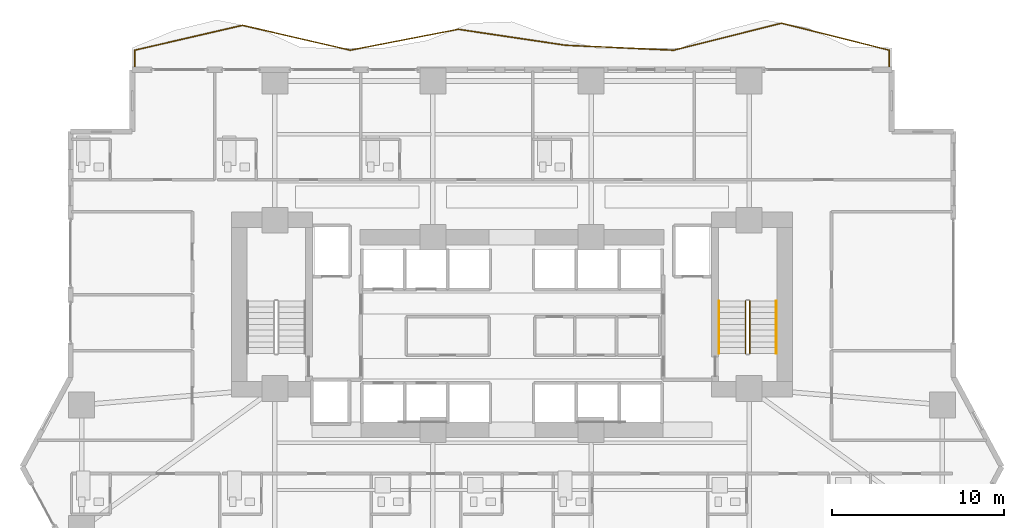
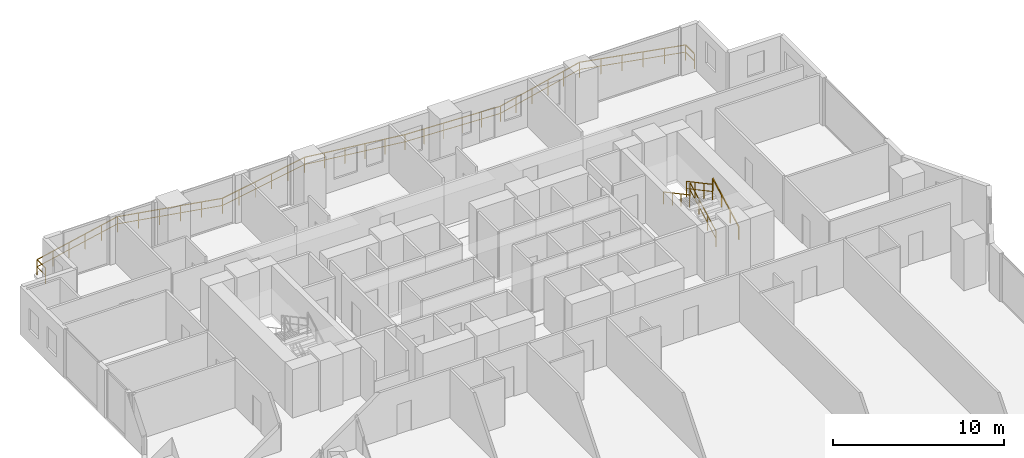
# One storey, part 27 of 29: 5 railings.
"""IFC4 building model written with IfcOpenShell, lengths in metres."""

from ifc_helpers import new_model, si_unit, direction, frame, origin, origin_2d, place, context, subcontext, project, spatial, rectangle, extrude, material, type_object, element, save


model = new_model("IFC4")

# Units and contexts
model_context = context("Model", 3, precision=1e-05, world=origin(), true_north=direction((0.0, 1.0)))
body_context = subcontext(model_context, "Body", "Model", "MODEL_VIEW")
ifc_project = project(units=[si_unit("LENGTHUNIT", "METRE"), si_unit("AREAUNIT", "SQUARE_METRE"), si_unit("VOLUMEUNIT", "CUBIC_METRE"), si_unit("PLANEANGLEUNIT", "RADIAN"), si_unit("MASSUNIT", "GRAM", prefix="KILO")], contexts=[model_context])

# Site, building, storey
site_placement = place(None, origin())
site = spatial("IfcSite", under=ifc_project, at=site_placement, CompositionType="ELEMENT")
building_placement = place(site_placement, origin())
building = spatial("IfcBuilding", under=site, at=building_placement, Name="Zuhayl Quay Hotel", CompositionType="ELEMENT")
storey_placement = place(building_placement, frame((0.0, 0.0, 38.550048828125)))
storey = spatial("IfcBuildingStorey", under=building, at=storey_placement, Name="L08", CompositionType="ELEMENT", Elevation=38.550048828125)

# Railings
ifc_material_1 = material(Name="Anodised Aluminium and Laminated Glass", Category="aluminium")
railing_type_1 = type_object("IfcRailingType", Name="RL_EXT_BAL_1100", PredefinedType="BALUSTRADE", material=ifc_material_1)
railing_1_placement = place(storey_placement, frame((-21.9599609375, 23.219970703125, 0.0)))
element("IfcRailing", 1, at=railing_1_placement, inside=storey, type_object=railing_type_1, Name="L08 Balcony and Terrace Guard GR_L08_BAL_N", PredefinedType="BALUSTRADE", context=body_context, shape_type="SweptSolid", body=[
    extrude(rectangle(XDim=0.048095703125, YDim=0.048095703125, at=origin_2d()), frame((0.0, 0.0, 1.09619140625), z_axis=(0.0, 1.0, 0.0), x_axis=(-1.0, 0.0, 0.0)), (0.0, 0.0, 1.0), 1.02001953125),
    extrude(rectangle(XDim=0.0361328125, YDim=0.0361328125, at=origin_2d()), frame((0.0, 0.0, 0.58251953125), z_axis=(0.0, 1.0, 0.0), x_axis=(-1.0, 0.0, 0.0)), (0.0, 0.0, 1.0), 1.02001953125),
    extrude(rectangle(XDim=0.048095703125, YDim=0.048095703125, at=origin_2d()), frame((0.0, 1.02001953125, 1.09619140625), z_axis=(0.974354120374, 0.225020106013, 0.0), x_axis=(-0.225020106013, 0.974354120374, 0.0)), (0.0, 0.0, 1.0), 6.439208984375),
    extrude(rectangle(XDim=0.0361328125, YDim=0.0361328125, at=origin_2d()), frame((0.0, 1.02001953125, 0.58251953125), z_axis=(0.974354120374, 0.225020106013, 0.0), x_axis=(-0.225020106013, 0.974354120374, 0.0)), (0.0, 0.0, 1.0), 6.439208984375),
    extrude(rectangle(XDim=0.048095703125, YDim=0.048095703125, at=origin_2d()), frame((6.274169921875, 2.468994140625, 1.09619140625), z_axis=(0.974356040011, -0.225011793676, 0.0), x_axis=(0.225011793676, 0.974356040011, 0.0)), (0.0, 0.0, 1.0), 6.439453125),
    extrude(rectangle(XDim=0.0361328125, YDim=0.0361328125, at=origin_2d()), frame((6.274169921875, 2.468994140625, 0.58251953125), z_axis=(0.974356040011, -0.225011793676, 0.0), x_axis=(0.225011793676, 0.974356040011, 0.0)), (0.0, 0.0, 1.0), 6.439453125),
    extrude(rectangle(XDim=0.048095703125, YDim=0.048095703125, at=origin_2d()), frame((12.548583984375, 1.02001953125, 1.09619140625), z_axis=(0.981701374701, 0.190426917502, 0.0), x_axis=(-0.190426917502, 0.981701374701, 0.0)), (0.0, 0.0, 1.0), 6.39111328125),
    extrude(rectangle(XDim=0.0361328125, YDim=0.0361328125, at=origin_2d()), frame((12.548583984375, 1.02001953125, 0.58251953125), z_axis=(0.981701374701, 0.190426917502, 0.0), x_axis=(-0.190426917502, 0.981701374701, 0.0)), (0.0, 0.0, 1.0), 6.39111328125),
    extrude(rectangle(XDim=0.048095703125, YDim=0.048095703125, at=origin_2d()), frame((18.82275390625, 2.237060546875, 1.09619140625), z_axis=(0.989177822067, -0.146721628705, 0.0), x_axis=(0.146721628705, 0.989177822067, 0.0)), (0.0, 0.0, 1.0), 6.343017578125),
    extrude(rectangle(XDim=0.0361328125, YDim=0.0361328125, at=origin_2d()), frame((18.82275390625, 2.237060546875, 0.58251953125), z_axis=(0.989177822067, -0.146721628705, 0.0), x_axis=(0.146721628705, 0.989177822067, 0.0)), (0.0, 0.0, 1.0), 6.343017578125),
    extrude(rectangle(XDim=0.048095703125, YDim=0.048095703125, at=origin_2d()), frame((25.09716796875, 1.306396484375, 1.09619140625), z_axis=(0.998959946609, -0.045596327381, 0.0), x_axis=(0.045596327381, 0.998959946609, 0.0)), (0.0, 0.0, 1.0), 6.28076171875),
    extrude(rectangle(XDim=0.0361328125, YDim=0.0361328125, at=origin_2d()), frame((25.09716796875, 1.306396484375, 0.58251953125), z_axis=(0.998959946609, -0.045596327381, 0.0), x_axis=(0.045596327381, 0.998959946609, 0.0)), (0.0, 0.0, 1.0), 6.28076171875),
    extrude(rectangle(XDim=0.048095703125, YDim=0.048095703125, at=origin_2d()), frame((31.371337890625, 1.02001953125, 1.09619140625), z_axis=(0.97007140728, 0.242819819573, 0.0), x_axis=(-0.242819819573, 0.97007140728, 0.0)), (0.0, 0.0, 1.0), 6.468017578125),
    extrude(rectangle(XDim=0.0361328125, YDim=0.0361328125, at=origin_2d()), frame((31.371337890625, 1.02001953125, 0.58251953125), z_axis=(0.97007140728, 0.242819819573, 0.0), x_axis=(-0.242819819573, 0.97007140728, 0.0)), (0.0, 0.0, 1.0), 6.468017578125),
    extrude(rectangle(XDim=0.048095703125, YDim=0.048095703125, at=origin_2d()), frame((37.645751953125, 2.590576171875, 1.09619140625), z_axis=(0.9700691816, -0.242828711048, 0.0), x_axis=(0.242828711048, 0.9700691816, 0.0)), (0.0, 0.0, 1.0), 6.4677734375),
    extrude(rectangle(XDim=0.0361328125, YDim=0.0361328125, at=origin_2d()), frame((37.645751953125, 2.590576171875, 0.58251953125), z_axis=(0.9700691816, -0.242828711048, 0.0), x_axis=(0.242828711048, 0.9700691816, 0.0)), (0.0, 0.0, 1.0), 6.4677734375),
    extrude(rectangle(XDim=0.048095703125, YDim=0.048095703125, at=origin_2d()), frame((43.919921875, 1.02001953125, 1.09619140625), z_axis=(0.0, -1.0, 0.0), x_axis=(1.0, 0.0, 0.0)), (0.0, 0.0, 1.0), 1.02001953125),
    extrude(rectangle(XDim=0.0361328125, YDim=0.0361328125, at=origin_2d()), frame((43.919921875, 1.02001953125, 0.58251953125), z_axis=(0.0, -1.0, 0.0), x_axis=(1.0, 0.0, 0.0)), (0.0, 0.0, 1.0), 1.02001953125),
    extrude(rectangle(XDim=0.0419921875, YDim=0.0419921875, at=origin_2d()), origin(), (0.0, 0.0, 1.0), 1.072021484375),
    extrude(rectangle(XDim=0.0419921875, YDim=0.0419921875, at=origin_2d()), frame((0.0, 1.02001953125, 0.0)), (0.0, 0.0, 1.0), 1.072021484375),
    extrude(rectangle(XDim=0.0419921875, YDim=0.0419921875, at=origin_2d()), frame((1.2548828125, 1.309814453125, 0.0)), (0.0, 0.0, 1.0), 1.072021484375),
    extrude(rectangle(XDim=0.0419921875, YDim=0.0419921875, at=origin_2d()), frame((2.509765625, 1.599609375, 0.0)), (0.0, 0.0, 1.0), 1.072021484375),
    extrude(rectangle(XDim=0.0419921875, YDim=0.0419921875, at=origin_2d()), frame((3.764404296875, 1.889404296875, 0.0)), (0.0, 0.0, 1.0), 1.072021484375),
    extrude(rectangle(XDim=0.0419921875, YDim=0.0419921875, at=origin_2d()), frame((5.019287109375, 2.17919921875, 0.0)), (0.0, 0.0, 1.0), 1.072021484375),
    extrude(rectangle(XDim=0.0419921875, YDim=0.0419921875, at=origin_2d()), frame((6.274169921875, 2.468994140625, 0.0)), (0.0, 0.0, 1.0), 1.072021484375),
    extrude(rectangle(XDim=0.0419921875, YDim=0.0419921875, at=origin_2d()), frame((7.529052734375, 2.17919921875, 0.0)), (0.0, 0.0, 1.0), 1.072021484375),
    extrude(rectangle(XDim=0.0419921875, YDim=0.0419921875, at=origin_2d()), frame((8.783935546875, 1.889404296875, 0.0)), (0.0, 0.0, 1.0), 1.072021484375),
    extrude(rectangle(XDim=0.0419921875, YDim=0.0419921875, at=origin_2d()), frame((10.038818359375, 1.599609375, 0.0)), (0.0, 0.0, 1.0), 1.072021484375),
    extrude(rectangle(XDim=0.0419921875, YDim=0.0419921875, at=origin_2d()), frame((11.293701171875, 1.309814453125, 0.0)), (0.0, 0.0, 1.0), 1.072021484375),
    extrude(rectangle(XDim=0.0419921875, YDim=0.0419921875, at=origin_2d()), frame((12.548583984375, 1.02001953125, 0.0)), (0.0, 0.0, 1.0), 1.072021484375),
    extrude(rectangle(XDim=0.0419921875, YDim=0.0419921875, at=origin_2d()), frame((13.803466796875, 1.263427734375, 0.0)), (0.0, 0.0, 1.0), 1.072021484375),
    extrude(rectangle(XDim=0.0419921875, YDim=0.0419921875, at=origin_2d()), frame((15.058349609375, 1.5068359375, 0.0)), (0.0, 0.0, 1.0), 1.072021484375),
    extrude(rectangle(XDim=0.0419921875, YDim=0.0419921875, at=origin_2d()), frame((16.31298828125, 1.750244140625, 0.0)), (0.0, 0.0, 1.0), 1.072021484375),
    extrude(rectangle(XDim=0.0419921875, YDim=0.0419921875, at=origin_2d()), frame((17.56787109375, 1.99365234375, 0.0)), (0.0, 0.0, 1.0), 1.072021484375),
    extrude(rectangle(XDim=0.0419921875, YDim=0.0419921875, at=origin_2d()), frame((18.82275390625, 2.237060546875, 0.0)), (0.0, 0.0, 1.0), 1.072021484375),
    extrude(rectangle(XDim=0.0419921875, YDim=0.0419921875, at=origin_2d()), frame((20.07763671875, 2.051025390625, 0.0)), (0.0, 0.0, 1.0), 1.072021484375),
    extrude(rectangle(XDim=0.0419921875, YDim=0.0419921875, at=origin_2d()), frame((21.33251953125, 1.86474609375, 0.0)), (0.0, 0.0, 1.0), 1.072021484375),
    extrude(rectangle(XDim=0.0419921875, YDim=0.0419921875, at=origin_2d()), frame((22.58740234375, 1.6787109375, 0.0)), (0.0, 0.0, 1.0), 1.072021484375),
    extrude(rectangle(XDim=0.0419921875, YDim=0.0419921875, at=origin_2d()), frame((23.84228515625, 1.492431640625, 0.0)), (0.0, 0.0, 1.0), 1.072021484375),
    extrude(rectangle(XDim=0.0419921875, YDim=0.0419921875, at=origin_2d()), frame((25.09716796875, 1.306396484375, 0.0)), (0.0, 0.0, 1.0), 1.072021484375),
    extrude(rectangle(XDim=0.0419921875, YDim=0.0419921875, at=origin_2d()), frame((26.35205078125, 1.2490234375, 0.0)), (0.0, 0.0, 1.0), 1.072021484375),
    extrude(rectangle(XDim=0.0419921875, YDim=0.0419921875, at=origin_2d()), frame((27.60693359375, 1.19189453125, 0.0)), (0.0, 0.0, 1.0), 1.072021484375),
    extrude(rectangle(XDim=0.0419921875, YDim=0.0419921875, at=origin_2d()), frame((28.861572265625, 1.134521484375, 0.0)), (0.0, 0.0, 1.0), 1.072021484375),
    extrude(rectangle(XDim=0.0419921875, YDim=0.0419921875, at=origin_2d()), frame((30.116455078125, 1.077392578125, 0.0)), (0.0, 0.0, 1.0), 1.072021484375),
    extrude(rectangle(XDim=0.0419921875, YDim=0.0419921875, at=origin_2d()), frame((31.371337890625, 1.02001953125, 0.0)), (0.0, 0.0, 1.0), 1.072021484375),
    extrude(rectangle(XDim=0.0419921875, YDim=0.0419921875, at=origin_2d()), frame((32.626220703125, 1.334228515625, 0.0)), (0.0, 0.0, 1.0), 1.072021484375),
    extrude(rectangle(XDim=0.0419921875, YDim=0.0419921875, at=origin_2d()), frame((33.881103515625, 1.648193359375, 0.0)), (0.0, 0.0, 1.0), 1.072021484375),
    extrude(rectangle(XDim=0.0419921875, YDim=0.0419921875, at=origin_2d()), frame((35.135986328125, 1.96240234375, 0.0)), (0.0, 0.0, 1.0), 1.072021484375),
    extrude(rectangle(XDim=0.0419921875, YDim=0.0419921875, at=origin_2d()), frame((36.390869140625, 2.2763671875, 0.0)), (0.0, 0.0, 1.0), 1.072021484375),
    extrude(rectangle(XDim=0.0419921875, YDim=0.0419921875, at=origin_2d()), frame((37.645751953125, 2.590576171875, 0.0)), (0.0, 0.0, 1.0), 1.072021484375),
    extrude(rectangle(XDim=0.0419921875, YDim=0.0419921875, at=origin_2d()), frame((38.900634765625, 2.2763671875, 0.0)), (0.0, 0.0, 1.0), 1.072021484375),
    extrude(rectangle(XDim=0.0419921875, YDim=0.0419921875, at=origin_2d()), frame((40.155517578125, 1.96240234375, 0.0)), (0.0, 0.0, 1.0), 1.072021484375),
    extrude(rectangle(XDim=0.0419921875, YDim=0.0419921875, at=origin_2d()), frame((41.41015625, 1.648193359375, 0.0)), (0.0, 0.0, 1.0), 1.072021484375),
    extrude(rectangle(XDim=0.0419921875, YDim=0.0419921875, at=origin_2d()), frame((42.6650390625, 1.334228515625, 0.0)), (0.0, 0.0, 1.0), 1.072021484375),
    extrude(rectangle(XDim=0.0419921875, YDim=0.0419921875, at=origin_2d()), frame((43.919921875, 1.02001953125, 0.0)), (0.0, 0.0, 1.0), 1.072021484375),
    extrude(rectangle(XDim=0.0419921875, YDim=0.0419921875, at=origin_2d()), frame((43.919921875, 0.0, 0.0)), (0.0, 0.0, 1.0), 1.072021484375),
])
ifc_material_2 = material(Name="Steel ASTM A992 Grade 50", Category="steel")
railing_type_2 = type_object("IfcRailingType", Name="RL_GUARD_1100", PredefinedType="GUARDRAIL", material=ifc_material_2)
railing_2_placement = place(storey_placement, frame((13.840087890625, 6.590087890625, 0.182373046875)))
element("IfcRailing", 2, at=railing_2_placement, inside=storey, type_object=railing_type_2, Name="L08 ST2 stair guard 1", PredefinedType="GUARDRAIL", context=body_context, shape_type="SweptSolid", body=[
    extrude(rectangle(XDim=0.048095703125, YDim=0.048095703125, at=origin_2d()), frame((0.0, 0.0, 1.09619140625), z_axis=(0.0, 0.88107310026, 0.472980117973), x_axis=(-1.0, 0.0, 0.0)), (0.0, 0.0, 1.0), 3.472900390625),
    extrude(rectangle(XDim=0.0361328125, YDim=0.0361328125, at=origin_2d()), frame((0.0, 0.0, 0.58251953125), z_axis=(0.0, 0.88107310026, 0.472980117973), x_axis=(-1.0, 0.0, 0.0)), (0.0, 0.0, 1.0), 3.472900390625),
    extrude(rectangle(XDim=0.0419921875, YDim=0.0419921875, at=origin_2d()), origin(), (0.0, 0.0, 1.0), 1.072021484375),
    extrude(rectangle(XDim=0.0419921875, YDim=0.0419921875, at=origin_2d()), frame((0.0, 1.02001953125, 0.547607421875)), (0.0, 0.0, 1.0), 1.072021484375),
    extrude(rectangle(XDim=0.0419921875, YDim=0.0419921875, at=origin_2d()), frame((0.0, 2.039794921875, 1.094970703125)), (0.0, 0.0, 1.0), 1.072021484375),
    extrude(rectangle(XDim=0.0419921875, YDim=0.0419921875, at=origin_2d()), frame((0.0, 3.059814453125, 1.642578125)), (0.0, 0.0, 1.0), 1.072021484375),
])
railing_3_placement = place(storey_placement, frame((13.590087890625, 9.64990234375, 2.007568359375)))
element("IfcRailing", 3, at=railing_3_placement, inside=storey, type_object=railing_type_2, Name="L08 ST2 stair guard 3", PredefinedType="GUARDRAIL", context=body_context, shape_type="SweptSolid", body=[
    extrude(rectangle(XDim=0.048095703125, YDim=0.048095703125, at=origin_2d()), frame((0.0, 0.0, 1.09619140625), z_axis=(0.0, -0.881102395774, 0.472925541879), x_axis=(1.0, 0.0, 0.0)), (0.0, 0.0, 1.0), 3.47265625),
    extrude(rectangle(XDim=0.0361328125, YDim=0.0361328125, at=origin_2d()), frame((0.0, 0.0, 0.58251953125), z_axis=(0.0, -0.881102395774, 0.472925541879), x_axis=(1.0, 0.0, 0.0)), (0.0, 0.0, 1.0), 3.47265625),
    extrude(rectangle(XDim=0.0419921875, YDim=0.0419921875, at=origin_2d()), origin(), (0.0, 0.0, 1.0), 1.072021484375),
    extrude(rectangle(XDim=0.0419921875, YDim=0.0419921875, at=origin_2d()), frame((0.0, -1.02001953125, 0.54736328125)), (0.0, 0.0, 1.0), 1.072021484375),
    extrude(rectangle(XDim=0.0419921875, YDim=0.0419921875, at=origin_2d()), frame((0.0, -2.039794921875, 1.094970703125)), (0.0, 0.0, 1.0), 1.072021484375),
    extrude(rectangle(XDim=0.0419921875, YDim=0.0419921875, at=origin_2d()), frame((0.0, -3.059814453125, 1.642333984375)), (0.0, 0.0, 1.0), 1.072021484375),
])
railing_type_3 = type_object("IfcRailingType", Name="RL_HANDRAIL_920", PredefinedType="HANDRAIL", material=ifc_material_2)
railing_4_placement = place(storey_placement, frame((15.3798828125, 6.590087890625, 0.182373046875)))
element("IfcRailing", 4, at=railing_4_placement, inside=storey, type_object=railing_type_3, Name="L08 ST2 stair handrail 1", PredefinedType="HANDRAIL", context=body_context, shape_type="SweptSolid", body=[
    extrude(rectangle(XDim=0.048095703125, YDim=0.048095703125, at=origin_2d()), frame((0.0, 0.0, 0.8759765625), z_axis=(0.0, 0.88107310026, 0.472980117973), x_axis=(-1.0, 0.0, 0.0)), (0.0, 0.0, 1.0), 3.472900390625),
    extrude(rectangle(XDim=0.0419921875, YDim=0.0419921875, at=origin_2d()), origin(), (0.0, 0.0, 1.0), 0.851806640625),
    extrude(rectangle(XDim=0.0419921875, YDim=0.0419921875, at=origin_2d()), frame((0.0, 1.02001953125, 0.547607421875)), (0.0, 0.0, 1.0), 0.851806640625),
    extrude(rectangle(XDim=0.0419921875, YDim=0.0419921875, at=origin_2d()), frame((0.0, 2.039794921875, 1.094970703125)), (0.0, 0.0, 1.0), 0.851806640625),
    extrude(rectangle(XDim=0.0419921875, YDim=0.0419921875, at=origin_2d()), frame((0.0, 3.059814453125, 1.642578125)), (0.0, 0.0, 1.0), 0.851806640625),
])
railing_5_placement = place(storey_placement, frame((12.050048828125, 9.64990234375, 2.007568359375)))
element("IfcRailing", 5, at=railing_5_placement, inside=storey, type_object=railing_type_3, Name="L08 ST2 stair handrail 2", PredefinedType="HANDRAIL", context=body_context, shape_type="SweptSolid", body=[
    extrude(rectangle(XDim=0.048095703125, YDim=0.048095703125, at=origin_2d()), frame((0.0, 0.0, 0.8759765625), z_axis=(0.0, -0.881102395774, 0.472925541879), x_axis=(1.0, 0.0, 0.0)), (0.0, 0.0, 1.0), 3.47265625),
    extrude(rectangle(XDim=0.0419921875, YDim=0.0419921875, at=origin_2d()), origin(), (0.0, 0.0, 1.0), 0.851806640625),
    extrude(rectangle(XDim=0.0419921875, YDim=0.0419921875, at=origin_2d()), frame((0.0, -1.02001953125, 0.54736328125)), (0.0, 0.0, 1.0), 0.851806640625),
    extrude(rectangle(XDim=0.0419921875, YDim=0.0419921875, at=origin_2d()), frame((0.0, -2.039794921875, 1.094970703125)), (0.0, 0.0, 1.0), 0.851806640625),
    extrude(rectangle(XDim=0.0419921875, YDim=0.0419921875, at=origin_2d()), frame((0.0, -3.059814453125, 1.642333984375)), (0.0, 0.0, 1.0), 0.851806640625),
])

save(model, "model.ifc")
